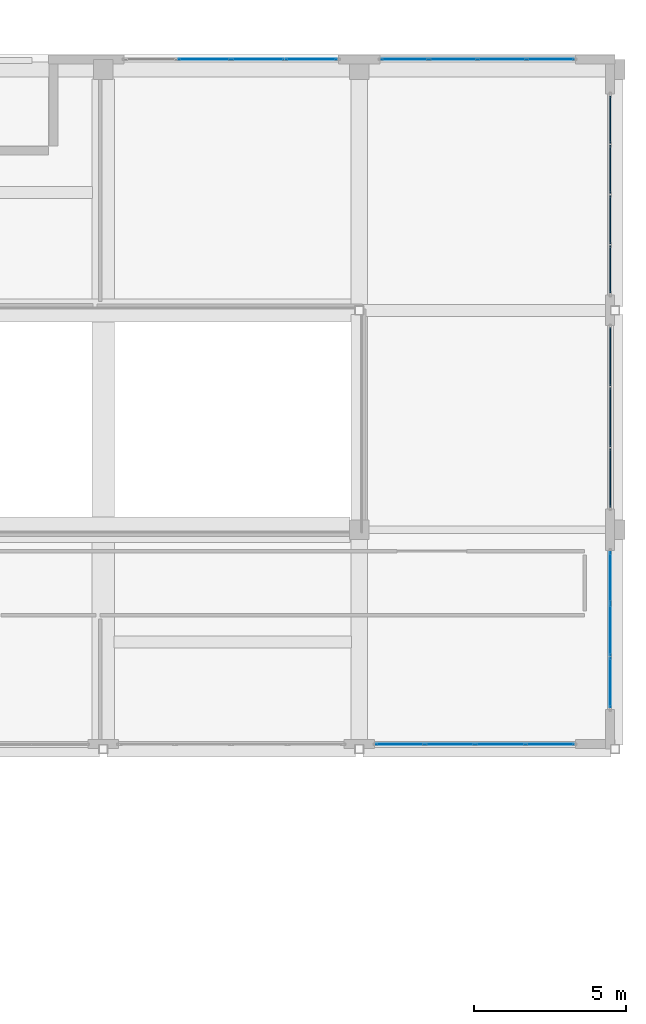
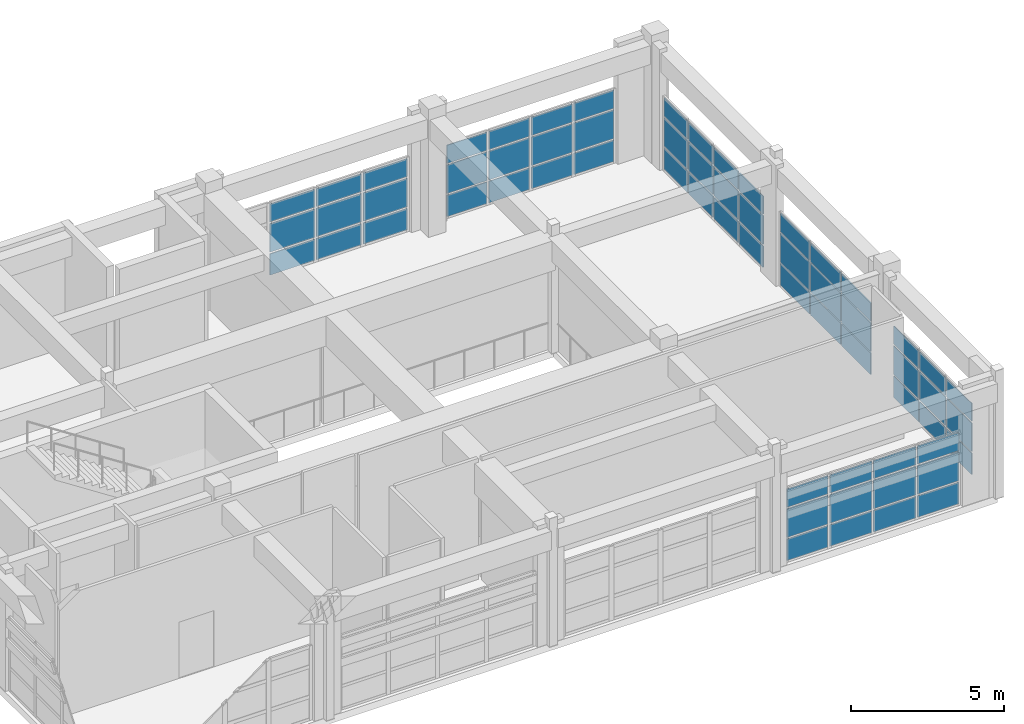
# One storey, part 79 of 103: 63 plates, 6 elements without a shape of their own.
"""IFC4 building model written with IfcOpenShell, lengths in metres."""

from ifc_helpers import new_model, si_unit, direction, frame, origin, origin_2d, place, context, subcontext, project, spatial, rectangle, extrude, material, layer, layer_set, type_object, element, aggregate, save


model = new_model("IFC4")

# Units and contexts
model_context = context("Model", 3, precision=1e-05, world=origin(), true_north=direction((0.0, 1.0)))
body_context = subcontext(model_context, "Body", "Model", "MODEL_VIEW")
ifc_project = project(units=[si_unit("LENGTHUNIT", "METRE"), si_unit("AREAUNIT", "SQUARE_METRE"), si_unit("VOLUMEUNIT", "CUBIC_METRE"), si_unit("PLANEANGLEUNIT", "RADIAN"), si_unit("MASSUNIT", "GRAM", prefix="KILO")], contexts=[model_context])

# Site, building, storey
site_placement = place(None, origin())
site = spatial("IfcSite", under=ifc_project, at=site_placement, CompositionType="ELEMENT")
building_placement = place(site_placement, origin())
building = spatial("IfcBuilding", under=site, at=building_placement, Name="Quendrovan Civic Courthouse", CompositionType="ELEMENT")
storey_placement = place(building_placement, frame((0.0, 0.0, 15.300048828125)))
storey = spatial("IfcBuildingStorey", under=building, at=storey_placement, Name="L04", CompositionType="ELEMENT", Elevation=15.300048828125)

# Curtain wall, plates
ifc_material_1 = material(Name="Bronze anodised aluminium and low-E glass", Category="aluminium")
ifc_layer_1 = layer(ifc_material_1, 0.179931640625, Name="Bronze anodised aluminium and low-E glass")
ifc_layer_set_1 = layer_set([ifc_layer_1], Name="Bronze anodised aluminium and low-E glass")
curtain_wall_type_1 = type_object("IfcCurtainWallType", Name="CW-U70x30", PredefinedType="USERDEFINED", material=ifc_layer_set_1)
curtain_wall_1_placement = place(storey_placement, origin())
curtain_wall_1 = element("IfcCurtainWall", 1, at=curtain_wall_1_placement, inside=storey, type_object=curtain_wall_type_1, Name="L04 Unitised Hurricane Curtain Wall CW-168", ObjectType="UNITISED CURTAIN WALL", PredefinedType="USERDEFINED")
ifc_material_2 = material(Name="Laminated hurricane-impact low-E glass", Category="glass")
ifc_layer_2 = layer(ifc_material_2, 0.028076171875, Name="Laminated hurricane-impact low-E glass")
ifc_layer_set_2 = layer_set([ifc_layer_2], Name="Laminated hurricane-impact low-E glass")
plate_type_1 = type_object("IfcPlateType", Name="CW-PNL-1", PredefinedType="CURTAIN_PANEL", material=ifc_layer_set_2)
plate_1_placement = place(storey_placement, frame((129.31884765625, 110.235107421875, 0.06982421875), z_axis=(0.0, 0.0, 1.0), x_axis=(1.0, 0.0, 0.0)))
plate_1 = element("IfcPlate", 2, at=plate_1_placement, type_object=plate_type_1, Name="CW-168 panel 2.1", PredefinedType="CURTAIN_PANEL", context=body_context, shape_type="SweptSolid", body=[
    extrude(rectangle(XDim=1.6923828125, YDim=0.028076171875, at=origin_2d()), origin(), (0.0, 0.0, 1.0), 0.844970703125),
])
plate_2_placement = place(storey_placement, frame((129.31884765625, 110.235107421875, 0.985107421875), z_axis=(0.0, 0.0, 1.0), x_axis=(1.0, 0.0, 0.0)))
plate_2 = element("IfcPlate", 3, at=plate_2_placement, type_object=plate_type_1, Name="CW-168 panel 2.2", PredefinedType="CURTAIN_PANEL", context=body_context, shape_type="SweptSolid", body=[
    extrude(rectangle(XDim=1.6923828125, YDim=0.028076171875, at=origin_2d()), origin(), (0.0, 0.0, 1.0), 1.1298828125),
])
plate_3_placement = place(storey_placement, frame((129.31884765625, 110.235107421875, 2.18505859375), z_axis=(0.0, 0.0, 1.0), x_axis=(1.0, 0.0, 0.0)))
plate_3 = element("IfcPlate", 4, at=plate_3_placement, type_object=plate_type_1, Name="CW-168 panel 2.3", PredefinedType="CURTAIN_PANEL", context=body_context, shape_type="SweptSolid", body=[
    extrude(rectangle(XDim=1.6923828125, YDim=0.028076171875, at=origin_2d()), origin(), (0.0, 0.0, 1.0), 0.715087890625),
])
plate_4_placement = place(storey_placement, frame((131.081298828125, 110.235107421875, 0.06982421875), z_axis=(0.0, 0.0, 1.0), x_axis=(1.0, 0.0, 0.0)))
plate_4 = element("IfcPlate", 5, at=plate_4_placement, type_object=plate_type_1, Name="CW-168 panel 3.1", PredefinedType="CURTAIN_PANEL", context=body_context, shape_type="SweptSolid", body=[
    extrude(rectangle(XDim=1.6923828125, YDim=0.028076171875, at=origin_2d()), origin(), (0.0, 0.0, 1.0), 0.844970703125),
])
plate_5_placement = place(storey_placement, frame((131.081298828125, 110.235107421875, 0.985107421875), z_axis=(0.0, 0.0, 1.0), x_axis=(1.0, 0.0, 0.0)))
plate_5 = element("IfcPlate", 6, at=plate_5_placement, type_object=plate_type_1, Name="CW-168 panel 3.2", PredefinedType="CURTAIN_PANEL", context=body_context, shape_type="SweptSolid", body=[
    extrude(rectangle(XDim=1.6923828125, YDim=0.028076171875, at=origin_2d()), origin(), (0.0, 0.0, 1.0), 1.1298828125),
])
plate_6_placement = place(storey_placement, frame((131.081298828125, 110.235107421875, 2.18505859375), z_axis=(0.0, 0.0, 1.0), x_axis=(1.0, 0.0, 0.0)))
plate_6 = element("IfcPlate", 7, at=plate_6_placement, type_object=plate_type_1, Name="CW-168 panel 3.3", PredefinedType="CURTAIN_PANEL", context=body_context, shape_type="SweptSolid", body=[
    extrude(rectangle(XDim=1.6923828125, YDim=0.028076171875, at=origin_2d()), origin(), (0.0, 0.0, 1.0), 0.715087890625),
])
plate_7_placement = place(storey_placement, frame((132.826171875, 110.235107421875, 0.06982421875), z_axis=(0.0, 0.0, 1.0), x_axis=(1.0, 0.0, 0.0)))
plate_7 = element("IfcPlate", 8, at=plate_7_placement, type_object=plate_type_1, Name="CW-168 panel 4.1", PredefinedType="CURTAIN_PANEL", context=body_context, shape_type="SweptSolid", body=[
    extrude(rectangle(XDim=1.657470703125, YDim=0.028076171875, at=origin_2d()), origin(), (0.0, 0.0, 1.0), 0.844970703125),
])
plate_8_placement = place(storey_placement, frame((132.826171875, 110.235107421875, 0.985107421875), z_axis=(0.0, 0.0, 1.0), x_axis=(1.0, 0.0, 0.0)))
plate_8 = element("IfcPlate", 9, at=plate_8_placement, type_object=plate_type_1, Name="CW-168 panel 4.2", PredefinedType="CURTAIN_PANEL", context=body_context, shape_type="SweptSolid", body=[
    extrude(rectangle(XDim=1.657470703125, YDim=0.028076171875, at=origin_2d()), origin(), (0.0, 0.0, 1.0), 1.1298828125),
])
plate_9_placement = place(storey_placement, frame((132.826171875, 110.235107421875, 2.18505859375), z_axis=(0.0, 0.0, 1.0), x_axis=(1.0, 0.0, 0.0)))
plate_9 = element("IfcPlate", 10, at=plate_9_placement, type_object=plate_type_1, Name="CW-168 panel 4.3", PredefinedType="CURTAIN_PANEL", context=body_context, shape_type="SweptSolid", body=[
    extrude(rectangle(XDim=1.657470703125, YDim=0.028076171875, at=origin_2d()), origin(), (0.0, 0.0, 1.0), 0.715087890625),
])
aggregate(curtain_wall_1, [plate_1, plate_2, plate_3, plate_4, plate_5, plate_6, plate_7, plate_8, plate_9])

ifc_layer_3 = layer(ifc_material_1, 0.179931640625, Name="Bronze anodised aluminium and low-E glass")
ifc_layer_set_3 = layer_set([ifc_layer_3], Name="Bronze anodised aluminium and low-E glass")
curtain_wall_type_2 = type_object("IfcCurtainWallType", Name="CW-U52x30", PredefinedType="USERDEFINED", material=ifc_layer_set_3)
curtain_wall_2_placement = place(storey_placement, origin())
curtain_wall_2 = element("IfcCurtainWall", 11, at=curtain_wall_2_placement, inside=storey, type_object=curtain_wall_type_2, Name="L04 Unitised Hurricane Curtain Wall CW-172", ObjectType="UNITISED CURTAIN WALL", PredefinedType="USERDEFINED")
plate_10_placement = place(storey_placement, frame((142.635009765625, 93.236572265625, 0.06982421875), z_axis=(0.0, 0.0, 1.0), x_axis=(0.0, -1.0, 0.0)))
plate_10 = element("IfcPlate", 12, at=plate_10_placement, type_object=plate_type_1, Name="CW-172 panel 1.1", PredefinedType="CURTAIN_PANEL", context=body_context, shape_type="SweptSolid", body=[
    extrude(rectangle(XDim=1.63671875, YDim=0.028076171875, at=origin_2d()), origin(), (0.0, 0.0, 1.0), 0.844970703125),
])
plate_11_placement = place(storey_placement, frame((142.635009765625, 93.236572265625, 0.985107421875), z_axis=(0.0, 0.0, 1.0), x_axis=(0.0, -1.0, 0.0)))
plate_11 = element("IfcPlate", 13, at=plate_11_placement, type_object=plate_type_1, Name="CW-172 panel 1.2", PredefinedType="CURTAIN_PANEL", context=body_context, shape_type="SweptSolid", body=[
    extrude(rectangle(XDim=1.63671875, YDim=0.028076171875, at=origin_2d()), origin(), (0.0, 0.0, 1.0), 1.1298828125),
])
plate_12_placement = place(storey_placement, frame((142.635009765625, 93.236572265625, 2.18505859375), z_axis=(0.0, 0.0, 1.0), x_axis=(0.0, -1.0, 0.0)))
plate_12 = element("IfcPlate", 14, at=plate_12_placement, type_object=plate_type_1, Name="CW-172 panel 1.3", PredefinedType="CURTAIN_PANEL", context=body_context, shape_type="SweptSolid", body=[
    extrude(rectangle(XDim=1.63671875, YDim=0.028076171875, at=origin_2d()), origin(), (0.0, 0.0, 1.0), 0.715087890625),
])
plate_13_placement = place(storey_placement, frame((142.635009765625, 91.512451171875, 0.06982421875), z_axis=(0.0, 0.0, 1.0), x_axis=(0.0, -1.0, 0.0)))
plate_13 = element("IfcPlate", 15, at=plate_13_placement, type_object=plate_type_1, Name="CW-172 panel 2.1", PredefinedType="CURTAIN_PANEL", context=body_context, shape_type="SweptSolid", body=[
    extrude(rectangle(XDim=1.671630859375, YDim=0.028076171875, at=origin_2d()), origin(), (0.0, 0.0, 1.0), 0.844970703125),
])
plate_14_placement = place(storey_placement, frame((142.635009765625, 91.512451171875, 0.985107421875), z_axis=(0.0, 0.0, 1.0), x_axis=(0.0, -1.0, 0.0)))
plate_14 = element("IfcPlate", 16, at=plate_14_placement, type_object=plate_type_1, Name="CW-172 panel 2.2", PredefinedType="CURTAIN_PANEL", context=body_context, shape_type="SweptSolid", body=[
    extrude(rectangle(XDim=1.671630859375, YDim=0.028076171875, at=origin_2d()), origin(), (0.0, 0.0, 1.0), 1.1298828125),
])
plate_15_placement = place(storey_placement, frame((142.635009765625, 91.512451171875, 2.18505859375), z_axis=(0.0, 0.0, 1.0), x_axis=(0.0, -1.0, 0.0)))
plate_15 = element("IfcPlate", 17, at=plate_15_placement, type_object=plate_type_1, Name="CW-172 panel 2.3", PredefinedType="CURTAIN_PANEL", context=body_context, shape_type="SweptSolid", body=[
    extrude(rectangle(XDim=1.671630859375, YDim=0.028076171875, at=origin_2d()), origin(), (0.0, 0.0, 1.0), 0.715087890625),
])
plate_16_placement = place(storey_placement, frame((142.635009765625, 89.788330078125, 0.06982421875), z_axis=(0.0, 0.0, 1.0), x_axis=(0.0, -1.0, 0.0)))
plate_16 = element("IfcPlate", 18, at=plate_16_placement, type_object=plate_type_1, Name="CW-172 panel 3.1", PredefinedType="CURTAIN_PANEL", context=body_context, shape_type="SweptSolid", body=[
    extrude(rectangle(XDim=1.63671875, YDim=0.028076171875, at=origin_2d()), origin(), (0.0, 0.0, 1.0), 0.844970703125),
])
plate_17_placement = place(storey_placement, frame((142.635009765625, 89.788330078125, 0.985107421875), z_axis=(0.0, 0.0, 1.0), x_axis=(0.0, -1.0, 0.0)))
plate_17 = element("IfcPlate", 19, at=plate_17_placement, type_object=plate_type_1, Name="CW-172 panel 3.2", PredefinedType="CURTAIN_PANEL", context=body_context, shape_type="SweptSolid", body=[
    extrude(rectangle(XDim=1.63671875, YDim=0.028076171875, at=origin_2d()), origin(), (0.0, 0.0, 1.0), 1.1298828125),
])
plate_18_placement = place(storey_placement, frame((142.635009765625, 89.788330078125, 2.18505859375), z_axis=(0.0, 0.0, 1.0), x_axis=(0.0, -1.0, 0.0)))
plate_18 = element("IfcPlate", 20, at=plate_18_placement, type_object=plate_type_1, Name="CW-172 panel 3.3", PredefinedType="CURTAIN_PANEL", context=body_context, shape_type="SweptSolid", body=[
    extrude(rectangle(XDim=1.63671875, YDim=0.028076171875, at=origin_2d()), origin(), (0.0, 0.0, 1.0), 0.715087890625),
])
aggregate(curtain_wall_2, [plate_10, plate_11, plate_12, plate_13, plate_14, plate_15, plate_16, plate_17, plate_18])

ifc_layer_4 = layer(ifc_material_1, 0.179931640625, Name="Bronze anodised aluminium and low-E glass")
ifc_layer_set_4 = layer_set([ifc_layer_4], Name="Bronze anodised aluminium and low-E glass")
curtain_wall_type_3 = type_object("IfcCurtainWallType", Name="CW-U64x30", PredefinedType="USERDEFINED", material=ifc_layer_set_4)
curtain_wall_3_placement = place(storey_placement, origin())
curtain_wall_3 = element("IfcCurtainWall", 21, at=curtain_wall_3_placement, inside=storey, type_object=curtain_wall_type_3, Name="L04 Unitised Hurricane Curtain Wall CW-169", ObjectType="UNITISED CURTAIN WALL", PredefinedType="USERDEFINED")
ifc_layer_5 = layer(ifc_material_2, 0.031982421875, Name="Laminated hurricane-impact low-E glass")
ifc_layer_set_5 = layer_set([ifc_layer_5], Name="Laminated hurricane-impact low-E glass")
plate_type_2 = type_object("IfcPlateType", Name="CW-PNL-2", PredefinedType="CURTAIN_PANEL", material=ifc_layer_set_5)
plate_19_placement = place(storey_placement, frame((135.894287109375, 110.235107421875, 0.06494140625), z_axis=(0.0, 0.0, 1.0), x_axis=(1.0, 0.0, 0.0)))
plate_19 = element("IfcPlate", 22, at=plate_19_placement, type_object=plate_type_2, Name="CW-169 panel 1.1", PredefinedType="CURTAIN_PANEL", context=body_context, shape_type="SweptSolid", body=[
    extrude(rectangle(XDim=1.5087890625, YDim=0.031982421875, at=origin_2d()), origin(), (0.0, 0.0, 1.0), 0.8525390625),
])
plate_20_placement = place(storey_placement, frame((135.894287109375, 110.235107421875, 0.982421875), z_axis=(0.0, 0.0, 1.0), x_axis=(1.0, 0.0, 0.0)))
plate_20 = element("IfcPlate", 23, at=plate_20_placement, type_object=plate_type_2, Name="CW-169 panel 1.2", PredefinedType="CURTAIN_PANEL", context=body_context, shape_type="SweptSolid", body=[
    extrude(rectangle(XDim=1.5087890625, YDim=0.031982421875, at=origin_2d()), origin(), (0.0, 0.0, 1.0), 1.135009765625),
])
plate_21_placement = place(storey_placement, frame((135.894287109375, 110.235107421875, 2.1826171875), z_axis=(0.0, 0.0, 1.0), x_axis=(1.0, 0.0, 0.0)))
plate_21 = element("IfcPlate", 24, at=plate_21_placement, type_object=plate_type_2, Name="CW-169 panel 1.3", PredefinedType="CURTAIN_PANEL", context=body_context, shape_type="SweptSolid", body=[
    extrude(rectangle(XDim=1.5087890625, YDim=0.031982421875, at=origin_2d()), origin(), (0.0, 0.0, 1.0), 0.722412109375),
])
plate_22_placement = place(storey_placement, frame((137.484375, 110.235107421875, 0.06494140625), z_axis=(0.0, 0.0, 1.0), x_axis=(1.0, 0.0, 0.0)))
plate_22 = element("IfcPlate", 25, at=plate_22_placement, type_object=plate_type_2, Name="CW-169 panel 2.1", PredefinedType="CURTAIN_PANEL", context=body_context, shape_type="SweptSolid", body=[
    extrude(rectangle(XDim=1.541259765625, YDim=0.031982421875, at=origin_2d()), origin(), (0.0, 0.0, 1.0), 0.8525390625),
])
plate_23_placement = place(storey_placement, frame((137.484375, 110.235107421875, 0.982421875), z_axis=(0.0, 0.0, 1.0), x_axis=(1.0, 0.0, 0.0)))
plate_23 = element("IfcPlate", 26, at=plate_23_placement, type_object=plate_type_2, Name="CW-169 panel 2.2", PredefinedType="CURTAIN_PANEL", context=body_context, shape_type="SweptSolid", body=[
    extrude(rectangle(XDim=1.541259765625, YDim=0.031982421875, at=origin_2d()), origin(), (0.0, 0.0, 1.0), 1.135009765625),
])
plate_24_placement = place(storey_placement, frame((137.484375, 110.235107421875, 2.1826171875), z_axis=(0.0, 0.0, 1.0), x_axis=(1.0, 0.0, 0.0)))
plate_24 = element("IfcPlate", 27, at=plate_24_placement, type_object=plate_type_2, Name="CW-169 panel 2.3", PredefinedType="CURTAIN_PANEL", context=body_context, shape_type="SweptSolid", body=[
    extrude(rectangle(XDim=1.541259765625, YDim=0.031982421875, at=origin_2d()), origin(), (0.0, 0.0, 1.0), 0.722412109375),
])
plate_25_placement = place(storey_placement, frame((139.090576171875, 110.235107421875, 0.06494140625), z_axis=(0.0, 0.0, 1.0), x_axis=(1.0, 0.0, 0.0)))
plate_25 = element("IfcPlate", 28, at=plate_25_placement, type_object=plate_type_2, Name="CW-169 panel 3.1", PredefinedType="CURTAIN_PANEL", context=body_context, shape_type="SweptSolid", body=[
    extrude(rectangle(XDim=1.541259765625, YDim=0.031982421875, at=origin_2d()), origin(), (0.0, 0.0, 1.0), 0.8525390625),
])
plate_26_placement = place(storey_placement, frame((139.090576171875, 110.235107421875, 0.982421875), z_axis=(0.0, 0.0, 1.0), x_axis=(1.0, 0.0, 0.0)))
plate_26 = element("IfcPlate", 29, at=plate_26_placement, type_object=plate_type_2, Name="CW-169 panel 3.2", PredefinedType="CURTAIN_PANEL", context=body_context, shape_type="SweptSolid", body=[
    extrude(rectangle(XDim=1.541259765625, YDim=0.031982421875, at=origin_2d()), origin(), (0.0, 0.0, 1.0), 1.135009765625),
])
plate_27_placement = place(storey_placement, frame((139.090576171875, 110.235107421875, 2.1826171875), z_axis=(0.0, 0.0, 1.0), x_axis=(1.0, 0.0, 0.0)))
plate_27 = element("IfcPlate", 30, at=plate_27_placement, type_object=plate_type_2, Name="CW-169 panel 3.3", PredefinedType="CURTAIN_PANEL", context=body_context, shape_type="SweptSolid", body=[
    extrude(rectangle(XDim=1.541259765625, YDim=0.031982421875, at=origin_2d()), origin(), (0.0, 0.0, 1.0), 0.722412109375),
])
plate_28_placement = place(storey_placement, frame((140.6806640625, 110.235107421875, 0.06494140625), z_axis=(0.0, 0.0, 1.0), x_axis=(1.0, 0.0, 0.0)))
plate_28 = element("IfcPlate", 31, at=plate_28_placement, type_object=plate_type_2, Name="CW-169 panel 4.1", PredefinedType="CURTAIN_PANEL", context=body_context, shape_type="SweptSolid", body=[
    extrude(rectangle(XDim=1.5087890625, YDim=0.031982421875, at=origin_2d()), origin(), (0.0, 0.0, 1.0), 0.8525390625),
])
plate_29_placement = place(storey_placement, frame((140.6806640625, 110.235107421875, 0.982421875), z_axis=(0.0, 0.0, 1.0), x_axis=(1.0, 0.0, 0.0)))
plate_29 = element("IfcPlate", 32, at=plate_29_placement, type_object=plate_type_2, Name="CW-169 panel 4.2", PredefinedType="CURTAIN_PANEL", context=body_context, shape_type="SweptSolid", body=[
    extrude(rectangle(XDim=1.5087890625, YDim=0.031982421875, at=origin_2d()), origin(), (0.0, 0.0, 1.0), 1.135009765625),
])
plate_30_placement = place(storey_placement, frame((140.6806640625, 110.235107421875, 2.1826171875), z_axis=(0.0, 0.0, 1.0), x_axis=(1.0, 0.0, 0.0)))
plate_30 = element("IfcPlate", 33, at=plate_30_placement, type_object=plate_type_2, Name="CW-169 panel 4.3", PredefinedType="CURTAIN_PANEL", context=body_context, shape_type="SweptSolid", body=[
    extrude(rectangle(XDim=1.5087890625, YDim=0.031982421875, at=origin_2d()), origin(), (0.0, 0.0, 1.0), 0.722412109375),
])
aggregate(curtain_wall_3, [plate_19, plate_20, plate_21, plate_22, plate_23, plate_24, plate_25, plate_26, plate_27, plate_28, plate_29, plate_30])

ifc_layer_6 = layer(ifc_material_1, 0.179931640625, Name="Bronze anodised aluminium and low-E glass")
ifc_layer_set_6 = layer_set([ifc_layer_6], Name="Bronze anodised aluminium and low-E glass")
curtain_wall_type_4 = type_object("IfcCurtainWallType", Name="CW-U66x30", PredefinedType="USERDEFINED", material=ifc_layer_set_6)
curtain_wall_4_placement = place(storey_placement, origin())
curtain_wall_4 = element("IfcCurtainWall", 34, at=curtain_wall_4_placement, inside=storey, type_object=curtain_wall_type_4, Name="L04 Unitised Hurricane Curtain Wall CW-173", ObjectType="UNITISED CURTAIN WALL", PredefinedType="USERDEFINED")
plate_31_placement = place(storey_placement, frame((140.65869140625, 87.764892578125, 0.06494140625), z_axis=(0.0, 0.0, 1.0), x_axis=(-1.0, 0.0, 0.0)))
plate_31 = element("IfcPlate", 35, at=plate_31_placement, type_object=plate_type_2, Name="CW-173 panel 1.1", PredefinedType="CURTAIN_PANEL", context=body_context, shape_type="SweptSolid", body=[
    extrude(rectangle(XDim=1.552490234375, YDim=0.031982421875, at=origin_2d()), origin(), (0.0, 0.0, 1.0), 0.8525390625),
])
plate_32_placement = place(storey_placement, frame((140.65869140625, 87.764892578125, 0.982421875), z_axis=(0.0, 0.0, 1.0), x_axis=(-1.0, 0.0, 0.0)))
plate_32 = element("IfcPlate", 36, at=plate_32_placement, type_object=plate_type_2, Name="CW-173 panel 1.2", PredefinedType="CURTAIN_PANEL", context=body_context, shape_type="SweptSolid", body=[
    extrude(rectangle(XDim=1.552490234375, YDim=0.031982421875, at=origin_2d()), origin(), (0.0, 0.0, 1.0), 1.135009765625),
])
plate_33_placement = place(storey_placement, frame((140.65869140625, 87.764892578125, 2.1826171875), z_axis=(0.0, 0.0, 1.0), x_axis=(-1.0, 0.0, 0.0)))
plate_33 = element("IfcPlate", 37, at=plate_33_placement, type_object=plate_type_2, Name="CW-173 panel 1.3", PredefinedType="CURTAIN_PANEL", context=body_context, shape_type="SweptSolid", body=[
    extrude(rectangle(XDim=1.552490234375, YDim=0.031982421875, at=origin_2d()), origin(), (0.0, 0.0, 1.0), 0.722412109375),
])
plate_34_placement = place(storey_placement, frame((139.02490234375, 87.764892578125, 0.06494140625), z_axis=(0.0, 0.0, 1.0), x_axis=(-1.0, 0.0, 0.0)))
plate_34 = element("IfcPlate", 38, at=plate_34_placement, type_object=plate_type_2, Name="CW-173 panel 2.1", PredefinedType="CURTAIN_PANEL", context=body_context, shape_type="SweptSolid", body=[
    extrude(rectangle(XDim=1.5849609375, YDim=0.031982421875, at=origin_2d()), origin(), (0.0, 0.0, 1.0), 0.8525390625),
])
plate_35_placement = place(storey_placement, frame((139.02490234375, 87.764892578125, 0.982421875), z_axis=(0.0, 0.0, 1.0), x_axis=(-1.0, 0.0, 0.0)))
plate_35 = element("IfcPlate", 39, at=plate_35_placement, type_object=plate_type_2, Name="CW-173 panel 2.2", PredefinedType="CURTAIN_PANEL", context=body_context, shape_type="SweptSolid", body=[
    extrude(rectangle(XDim=1.5849609375, YDim=0.031982421875, at=origin_2d()), origin(), (0.0, 0.0, 1.0), 1.135009765625),
])
plate_36_placement = place(storey_placement, frame((139.02490234375, 87.764892578125, 2.1826171875), z_axis=(0.0, 0.0, 1.0), x_axis=(-1.0, 0.0, 0.0)))
plate_36 = element("IfcPlate", 40, at=plate_36_placement, type_object=plate_type_2, Name="CW-173 panel 2.3", PredefinedType="CURTAIN_PANEL", context=body_context, shape_type="SweptSolid", body=[
    extrude(rectangle(XDim=1.5849609375, YDim=0.031982421875, at=origin_2d()), origin(), (0.0, 0.0, 1.0), 0.722412109375),
])
plate_37_placement = place(storey_placement, frame((137.375, 87.764892578125, 0.06494140625), z_axis=(0.0, 0.0, 1.0), x_axis=(-1.0, 0.0, 0.0)))
plate_37 = element("IfcPlate", 41, at=plate_37_placement, type_object=plate_type_2, Name="CW-173 panel 3.1", PredefinedType="CURTAIN_PANEL", context=body_context, shape_type="SweptSolid", body=[
    extrude(rectangle(XDim=1.5849609375, YDim=0.031982421875, at=origin_2d()), origin(), (0.0, 0.0, 1.0), 0.8525390625),
])
plate_38_placement = place(storey_placement, frame((137.375, 87.764892578125, 0.982421875), z_axis=(0.0, 0.0, 1.0), x_axis=(-1.0, 0.0, 0.0)))
plate_38 = element("IfcPlate", 42, at=plate_38_placement, type_object=plate_type_2, Name="CW-173 panel 3.2", PredefinedType="CURTAIN_PANEL", context=body_context, shape_type="SweptSolid", body=[
    extrude(rectangle(XDim=1.5849609375, YDim=0.031982421875, at=origin_2d()), origin(), (0.0, 0.0, 1.0), 1.135009765625),
])
plate_39_placement = place(storey_placement, frame((137.375, 87.764892578125, 2.1826171875), z_axis=(0.0, 0.0, 1.0), x_axis=(-1.0, 0.0, 0.0)))
plate_39 = element("IfcPlate", 43, at=plate_39_placement, type_object=plate_type_2, Name="CW-173 panel 3.3", PredefinedType="CURTAIN_PANEL", context=body_context, shape_type="SweptSolid", body=[
    extrude(rectangle(XDim=1.5849609375, YDim=0.031982421875, at=origin_2d()), origin(), (0.0, 0.0, 1.0), 0.722412109375),
])
plate_40_placement = place(storey_placement, frame((135.7412109375, 87.764892578125, 0.06494140625), z_axis=(0.0, 0.0, 1.0), x_axis=(-1.0, 0.0, 0.0)))
plate_40 = element("IfcPlate", 44, at=plate_40_placement, type_object=plate_type_2, Name="CW-173 panel 4.1", PredefinedType="CURTAIN_PANEL", context=body_context, shape_type="SweptSolid", body=[
    extrude(rectangle(XDim=1.552490234375, YDim=0.031982421875, at=origin_2d()), origin(), (0.0, 0.0, 1.0), 0.8525390625),
])
plate_41_placement = place(storey_placement, frame((135.7412109375, 87.764892578125, 0.982421875), z_axis=(0.0, 0.0, 1.0), x_axis=(-1.0, 0.0, 0.0)))
plate_41 = element("IfcPlate", 45, at=plate_41_placement, type_object=plate_type_2, Name="CW-173 panel 4.2", PredefinedType="CURTAIN_PANEL", context=body_context, shape_type="SweptSolid", body=[
    extrude(rectangle(XDim=1.552490234375, YDim=0.031982421875, at=origin_2d()), origin(), (0.0, 0.0, 1.0), 1.135009765625),
])
plate_42_placement = place(storey_placement, frame((135.7412109375, 87.764892578125, 2.1826171875), z_axis=(0.0, 0.0, 1.0), x_axis=(-1.0, 0.0, 0.0)))
plate_42 = element("IfcPlate", 46, at=plate_42_placement, type_object=plate_type_2, Name="CW-173 panel 4.3", PredefinedType="CURTAIN_PANEL", context=body_context, shape_type="SweptSolid", body=[
    extrude(rectangle(XDim=1.552490234375, YDim=0.031982421875, at=origin_2d()), origin(), (0.0, 0.0, 1.0), 0.722412109375),
])
aggregate(curtain_wall_4, [plate_31, plate_32, plate_33, plate_34, plate_35, plate_36, plate_37, plate_38, plate_39, plate_40, plate_41, plate_42])

curtain_wall_5_placement = place(storey_placement, origin())
curtain_wall_5 = element("IfcCurtainWall", 47, at=curtain_wall_5_placement, inside=storey, type_object=curtain_wall_type_4, Name="L04 Unitised Hurricane Curtain Wall CW-170", ObjectType="UNITISED CURTAIN WALL", PredefinedType="USERDEFINED")
ifc_layer_7 = layer(ifc_material_2, 0.035888671875, Name="Laminated hurricane-impact low-E glass")
ifc_layer_set_7 = layer_set([ifc_layer_7], Name="Laminated hurricane-impact low-E glass")
plate_type_3 = type_object("IfcPlateType", Name="CW-PNL-3", PredefinedType="CURTAIN_PANEL", material=ifc_layer_set_7)
plate_43_placement = place(storey_placement, frame((142.635009765625, 108.257568359375, 0.06982421875), z_axis=(0.0, 0.0, 1.0), x_axis=(0.0, -1.0, 0.0)))
plate_43 = element("IfcPlate", 48, at=plate_43_placement, type_object=plate_type_3, Name="CW-170 panel 1.1", PredefinedType="CURTAIN_PANEL", context=body_context, shape_type="SweptSolid", body=[
    extrude(rectangle(XDim=1.544921875, YDim=0.035888671875, at=origin_2d()), origin(), (0.0, 0.0, 1.0), 0.844970703125),
])
plate_44_placement = place(storey_placement, frame((142.635009765625, 108.257568359375, 0.985107421875), z_axis=(0.0, 0.0, 1.0), x_axis=(0.0, -1.0, 0.0)))
plate_44 = element("IfcPlate", 49, at=plate_44_placement, type_object=plate_type_3, Name="CW-170 panel 1.2", PredefinedType="CURTAIN_PANEL", context=body_context, shape_type="SweptSolid", body=[
    extrude(rectangle(XDim=1.544921875, YDim=0.035888671875, at=origin_2d()), origin(), (0.0, 0.0, 1.0), 1.1298828125),
])
plate_45_placement = place(storey_placement, frame((142.635009765625, 108.257568359375, 2.18505859375), z_axis=(0.0, 0.0, 1.0), x_axis=(0.0, -1.0, 0.0)))
plate_45 = element("IfcPlate", 50, at=plate_45_placement, type_object=plate_type_3, Name="CW-170 panel 1.3", PredefinedType="CURTAIN_PANEL", context=body_context, shape_type="SweptSolid", body=[
    extrude(rectangle(XDim=1.544921875, YDim=0.035888671875, at=origin_2d()), origin(), (0.0, 0.0, 1.0), 0.715087890625),
])
plate_46_placement = place(storey_placement, frame((142.635009765625, 106.625, 0.06982421875), z_axis=(0.0, 0.0, 1.0), x_axis=(0.0, -1.0, 0.0)))
plate_46 = element("IfcPlate", 51, at=plate_46_placement, type_object=plate_type_3, Name="CW-170 panel 2.1", PredefinedType="CURTAIN_PANEL", context=body_context, shape_type="SweptSolid", body=[
    extrude(rectangle(XDim=1.580078125, YDim=0.035888671875, at=origin_2d()), origin(), (0.0, 0.0, 1.0), 0.844970703125),
])
plate_47_placement = place(storey_placement, frame((142.635009765625, 106.625, 0.985107421875), z_axis=(0.0, 0.0, 1.0), x_axis=(0.0, -1.0, 0.0)))
plate_47 = element("IfcPlate", 52, at=plate_47_placement, type_object=plate_type_3, Name="CW-170 panel 2.2", PredefinedType="CURTAIN_PANEL", context=body_context, shape_type="SweptSolid", body=[
    extrude(rectangle(XDim=1.580078125, YDim=0.035888671875, at=origin_2d()), origin(), (0.0, 0.0, 1.0), 1.1298828125),
])
plate_48_placement = place(storey_placement, frame((142.635009765625, 106.625, 2.18505859375), z_axis=(0.0, 0.0, 1.0), x_axis=(0.0, -1.0, 0.0)))
plate_48 = element("IfcPlate", 53, at=plate_48_placement, type_object=plate_type_3, Name="CW-170 panel 2.3", PredefinedType="CURTAIN_PANEL", context=body_context, shape_type="SweptSolid", body=[
    extrude(rectangle(XDim=1.580078125, YDim=0.035888671875, at=origin_2d()), origin(), (0.0, 0.0, 1.0), 0.715087890625),
])
plate_49_placement = place(storey_placement, frame((142.635009765625, 104.97509765625, 0.06982421875), z_axis=(0.0, 0.0, 1.0), x_axis=(0.0, -1.0, 0.0)))
plate_49 = element("IfcPlate", 54, at=plate_49_placement, type_object=plate_type_3, Name="CW-170 panel 3.1", PredefinedType="CURTAIN_PANEL", context=body_context, shape_type="SweptSolid", body=[
    extrude(rectangle(XDim=1.580078125, YDim=0.035888671875, at=origin_2d()), origin(), (0.0, 0.0, 1.0), 0.844970703125),
])
plate_50_placement = place(storey_placement, frame((142.635009765625, 104.97509765625, 0.985107421875), z_axis=(0.0, 0.0, 1.0), x_axis=(0.0, -1.0, 0.0)))
plate_50 = element("IfcPlate", 55, at=plate_50_placement, type_object=plate_type_3, Name="CW-170 panel 3.2", PredefinedType="CURTAIN_PANEL", context=body_context, shape_type="SweptSolid", body=[
    extrude(rectangle(XDim=1.580078125, YDim=0.035888671875, at=origin_2d()), origin(), (0.0, 0.0, 1.0), 1.1298828125),
])
plate_51_placement = place(storey_placement, frame((142.635009765625, 104.97509765625, 2.18505859375), z_axis=(0.0, 0.0, 1.0), x_axis=(0.0, -1.0, 0.0)))
plate_51 = element("IfcPlate", 56, at=plate_51_placement, type_object=plate_type_3, Name="CW-170 panel 3.3", PredefinedType="CURTAIN_PANEL", context=body_context, shape_type="SweptSolid", body=[
    extrude(rectangle(XDim=1.580078125, YDim=0.035888671875, at=origin_2d()), origin(), (0.0, 0.0, 1.0), 0.715087890625),
])
plate_52_placement = place(storey_placement, frame((142.635009765625, 103.342529296875, 0.06982421875), z_axis=(0.0, 0.0, 1.0), x_axis=(0.0, -1.0, 0.0)))
plate_52 = element("IfcPlate", 57, at=plate_52_placement, type_object=plate_type_3, Name="CW-170 panel 4.1", PredefinedType="CURTAIN_PANEL", context=body_context, shape_type="SweptSolid", body=[
    extrude(rectangle(XDim=1.544921875, YDim=0.035888671875, at=origin_2d()), origin(), (0.0, 0.0, 1.0), 0.844970703125),
])
plate_53_placement = place(storey_placement, frame((142.635009765625, 103.342529296875, 0.985107421875), z_axis=(0.0, 0.0, 1.0), x_axis=(0.0, -1.0, 0.0)))
plate_53 = element("IfcPlate", 58, at=plate_53_placement, type_object=plate_type_3, Name="CW-170 panel 4.2", PredefinedType="CURTAIN_PANEL", context=body_context, shape_type="SweptSolid", body=[
    extrude(rectangle(XDim=1.544921875, YDim=0.035888671875, at=origin_2d()), origin(), (0.0, 0.0, 1.0), 1.1298828125),
])
plate_54_placement = place(storey_placement, frame((142.635009765625, 103.342529296875, 2.18505859375), z_axis=(0.0, 0.0, 1.0), x_axis=(0.0, -1.0, 0.0)))
plate_54 = element("IfcPlate", 59, at=plate_54_placement, type_object=plate_type_3, Name="CW-170 panel 4.3", PredefinedType="CURTAIN_PANEL", context=body_context, shape_type="SweptSolid", body=[
    extrude(rectangle(XDim=1.544921875, YDim=0.035888671875, at=origin_2d()), origin(), (0.0, 0.0, 1.0), 0.715087890625),
])
aggregate(curtain_wall_5, [plate_43, plate_44, plate_45, plate_46, plate_47, plate_48, plate_49, plate_50, plate_51, plate_52, plate_53, plate_54])

ifc_layer_8 = layer(ifc_material_1, 0.179931640625, Name="Bronze anodised aluminium and low-E glass")
ifc_layer_set_8 = layer_set([ifc_layer_8], Name="Bronze anodised aluminium and low-E glass")
curtain_wall_type_5 = type_object("IfcCurtainWallType", Name="CW-U60x30", PredefinedType="USERDEFINED", material=ifc_layer_set_8)
curtain_wall_6_placement = place(storey_placement, origin())
curtain_wall_6 = element("IfcCurtainWall", 60, at=curtain_wall_6_placement, inside=storey, type_object=curtain_wall_type_5, Name="L04 Unitised Hurricane Curtain Wall CW-171", ObjectType="UNITISED CURTAIN WALL", PredefinedType="USERDEFINED")
ifc_layer_9 = layer(ifc_material_2, 0.0419921875, Name="Laminated hurricane-impact low-E glass")
ifc_layer_set_9 = layer_set([ifc_layer_9], Name="Laminated hurricane-impact low-E glass")
plate_type_4 = type_object("IfcPlateType", Name="CW-PNL-4", PredefinedType="CURTAIN_PANEL", material=ifc_layer_set_9)
plate_55_placement = place(storey_placement, frame((142.635009765625, 100.4794921875, 0.06494140625), z_axis=(0.0, 0.0, 1.0), x_axis=(0.0, -1.0, 0.0)))
plate_55 = element("IfcPlate", 61, at=plate_55_placement, type_object=plate_type_4, Name="CW-171 panel 1.1", PredefinedType="CURTAIN_PANEL", context=body_context, shape_type="SweptSolid", body=[
    extrude(rectangle(XDim=1.910888671875, YDim=0.0419921875, at=origin_2d()), origin(), (0.0, 0.0, 1.0), 0.8525390625),
])
plate_56_placement = place(storey_placement, frame((142.635009765625, 100.4794921875, 0.982421875), z_axis=(0.0, 0.0, 1.0), x_axis=(0.0, -1.0, 0.0)))
plate_56 = element("IfcPlate", 62, at=plate_56_placement, type_object=plate_type_4, Name="CW-171 panel 1.2", PredefinedType="CURTAIN_PANEL", context=body_context, shape_type="SweptSolid", body=[
    extrude(rectangle(XDim=1.910888671875, YDim=0.0419921875, at=origin_2d()), origin(), (0.0, 0.0, 1.0), 1.135009765625),
])
plate_57_placement = place(storey_placement, frame((142.635009765625, 100.4794921875, 2.1826171875), z_axis=(0.0, 0.0, 1.0), x_axis=(0.0, -1.0, 0.0)))
plate_57 = element("IfcPlate", 63, at=plate_57_placement, type_object=plate_type_4, Name="CW-171 panel 1.3", PredefinedType="CURTAIN_PANEL", context=body_context, shape_type="SweptSolid", body=[
    extrude(rectangle(XDim=1.910888671875, YDim=0.0419921875, at=origin_2d()), origin(), (0.0, 0.0, 1.0), 0.722412109375),
])
plate_58_placement = place(storey_placement, frame((142.635009765625, 98.487548828125, 0.06494140625), z_axis=(0.0, 0.0, 1.0), x_axis=(0.0, -1.0, 0.0)))
plate_58 = element("IfcPlate", 64, at=plate_58_placement, type_object=plate_type_4, Name="CW-171 panel 2.1", PredefinedType="CURTAIN_PANEL", context=body_context, shape_type="SweptSolid", body=[
    extrude(rectangle(XDim=1.943359375, YDim=0.0419921875, at=origin_2d()), origin(), (0.0, 0.0, 1.0), 0.8525390625),
])
plate_59_placement = place(storey_placement, frame((142.635009765625, 98.487548828125, 0.982421875), z_axis=(0.0, 0.0, 1.0), x_axis=(0.0, -1.0, 0.0)))
plate_59 = element("IfcPlate", 65, at=plate_59_placement, type_object=plate_type_4, Name="CW-171 panel 2.2", PredefinedType="CURTAIN_PANEL", context=body_context, shape_type="SweptSolid", body=[
    extrude(rectangle(XDim=1.943359375, YDim=0.0419921875, at=origin_2d()), origin(), (0.0, 0.0, 1.0), 1.135009765625),
])
plate_60_placement = place(storey_placement, frame((142.635009765625, 98.487548828125, 2.1826171875), z_axis=(0.0, 0.0, 1.0), x_axis=(0.0, -1.0, 0.0)))
plate_60 = element("IfcPlate", 66, at=plate_60_placement, type_object=plate_type_4, Name="CW-171 panel 2.3", PredefinedType="CURTAIN_PANEL", context=body_context, shape_type="SweptSolid", body=[
    extrude(rectangle(XDim=1.943359375, YDim=0.0419921875, at=origin_2d()), origin(), (0.0, 0.0, 1.0), 0.722412109375),
])
plate_61_placement = place(storey_placement, frame((142.635009765625, 96.495361328125, 0.06494140625), z_axis=(0.0, 0.0, 1.0), x_axis=(0.0, -1.0, 0.0)))
plate_61 = element("IfcPlate", 67, at=plate_61_placement, type_object=plate_type_4, Name="CW-171 panel 3.1", PredefinedType="CURTAIN_PANEL", context=body_context, shape_type="SweptSolid", body=[
    extrude(rectangle(XDim=1.910888671875, YDim=0.0419921875, at=origin_2d()), origin(), (0.0, 0.0, 1.0), 0.8525390625),
])
plate_62_placement = place(storey_placement, frame((142.635009765625, 96.495361328125, 0.982421875), z_axis=(0.0, 0.0, 1.0), x_axis=(0.0, -1.0, 0.0)))
plate_62 = element("IfcPlate", 68, at=plate_62_placement, type_object=plate_type_4, Name="CW-171 panel 3.2", PredefinedType="CURTAIN_PANEL", context=body_context, shape_type="SweptSolid", body=[
    extrude(rectangle(XDim=1.910888671875, YDim=0.0419921875, at=origin_2d()), origin(), (0.0, 0.0, 1.0), 1.135009765625),
])
plate_63_placement = place(storey_placement, frame((142.635009765625, 96.495361328125, 2.1826171875), z_axis=(0.0, 0.0, 1.0), x_axis=(0.0, -1.0, 0.0)))
plate_63 = element("IfcPlate", 69, at=plate_63_placement, type_object=plate_type_4, Name="CW-171 panel 3.3", PredefinedType="CURTAIN_PANEL", context=body_context, shape_type="SweptSolid", body=[
    extrude(rectangle(XDim=1.910888671875, YDim=0.0419921875, at=origin_2d()), origin(), (0.0, 0.0, 1.0), 0.722412109375),
])
aggregate(curtain_wall_6, [plate_55, plate_56, plate_57, plate_58, plate_59, plate_60, plate_61, plate_62, plate_63])

save(model, "model.ifc")
